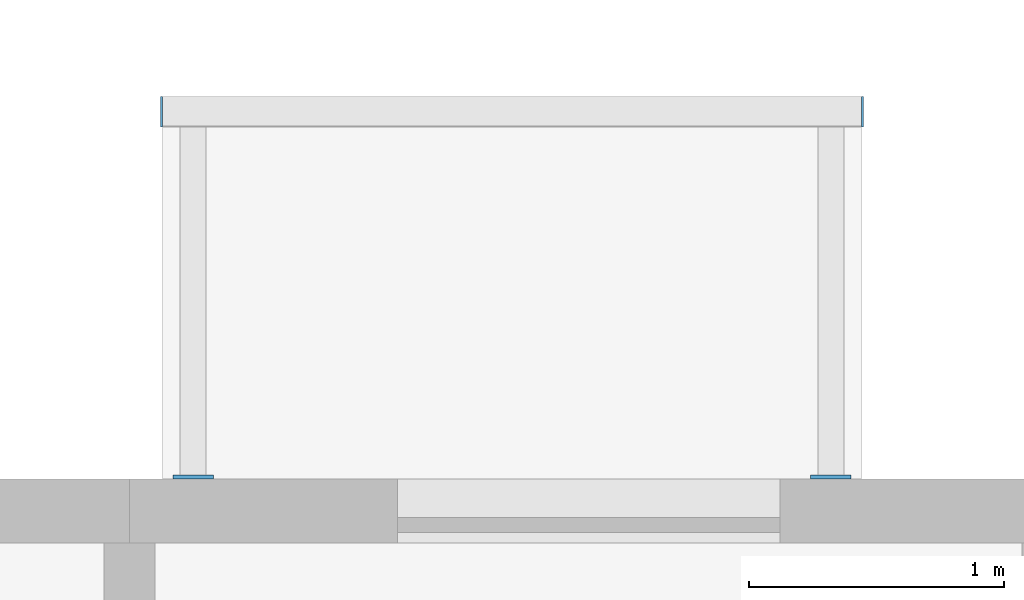
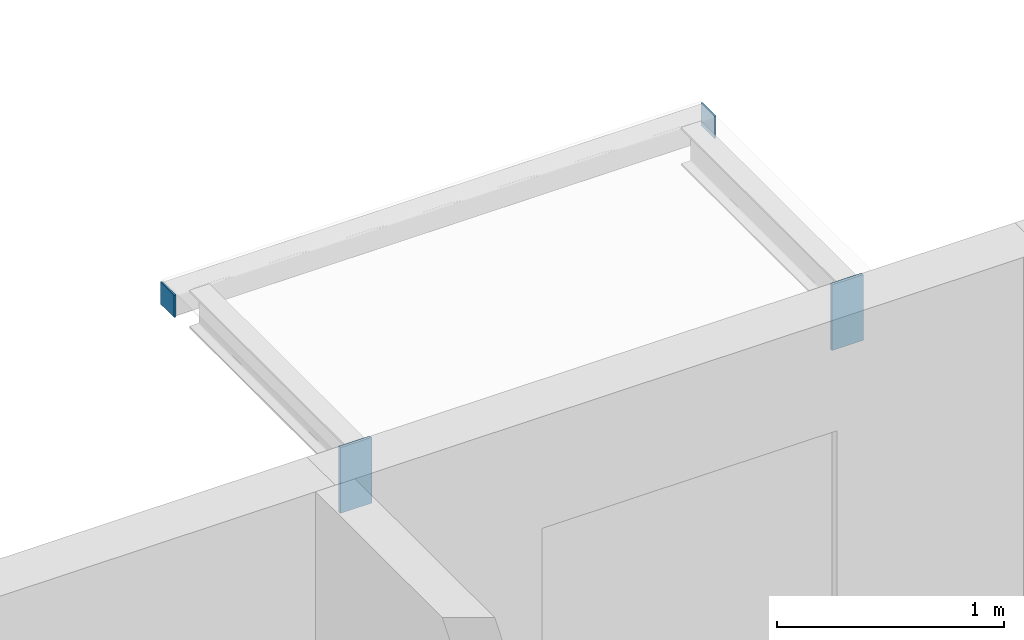
# One storey, part 71 of 94: 4 discrete accessories.
"""IFC4 building model written with IfcOpenShell, lengths in metres."""

from ifc_helpers import new_model, si_unit, direction, frame, origin, origin_2d, place, context, subcontext, project, spatial, rectangle, extrude, material, layer, layer_set, type_object, element, save


model = new_model("IFC4")

# Units and contexts
model_context = context("Model", 3, precision=1e-05, world=origin(), true_north=direction((0.0, 1.0)))
body_context = subcontext(model_context, "Body", "Model", "MODEL_VIEW")
ifc_project = project(units=[si_unit("LENGTHUNIT", "METRE"), si_unit("AREAUNIT", "SQUARE_METRE"), si_unit("VOLUMEUNIT", "CUBIC_METRE"), si_unit("PLANEANGLEUNIT", "RADIAN"), si_unit("MASSUNIT", "GRAM", prefix="KILO")], contexts=[model_context])

# Site, building, storey
site_placement = place(None, origin())
site = spatial("IfcSite", under=ifc_project, at=site_placement, CompositionType="ELEMENT")
building_placement = place(site_placement, origin())
building = spatial("IfcBuilding", under=site, at=building_placement, Name="Ridgestep Commons", CompositionType="ELEMENT")
storey_placement = place(building_placement, frame((0.0, 0.0, 21.0)))
storey = spatial("IfcBuildingStorey", under=building, at=storey_placement, Name="L07", CompositionType="ELEMENT", Elevation=21.0)

# Discrete accessories
ifc_material_1 = material(Name="Weathering steel S355J2W", Category="steel")
ifc_layer_1 = layer(ifc_material_1, 0.014892578125)
ifc_layer_set_1 = layer_set([ifc_layer_1], Name="Tray bracket plate 15")
discrete_accessory_type_1 = type_object("IfcDiscreteAccessoryType", Name="Tray bracket plate 15", PredefinedType="BRACKET", material=ifc_layer_set_1)
for number, where, z_axis, x_axis, name in (
    (1, (217.85009765625, 77.257568359375, 2.63671875), (0.0, 0.0, 1.0), (1.0, 0.0, 0.0), "Tray bracket C5T2-08.1"),
    (2, (220.35009765625, 77.257568359375, 2.63671875), (0.0, 0.0, 1.0), (1.0, 0.0, 0.0), "Tray bracket C5T2-08.2"),
):
    element("IfcDiscreteAccessory", number, at=place(storey_placement, frame(where, z_axis=z_axis, x_axis=x_axis)), inside=storey, type_object=discrete_accessory_type_1, Name=name, PredefinedType="BRACKET", context=body_context, shape_type="SweptSolid", body=[
        extrude(rectangle(XDim=0.159912109375, YDim=0.014892578125, at=origin_2d()), origin(), (0.0, 0.0, 1.0), 0.353271484375),
    ])
ifc_material_2 = material(Name="Weathering steel S355J2W", Category="steel")
ifc_layer_2 = layer(ifc_material_2, 0.008056640625)
ifc_layer_set_2 = layer_set([ifc_layer_2], Name="Tray edge member end plate 120 x 120 x 8")
discrete_accessory_type_2 = type_object("IfcDiscreteAccessoryType", Name="Tray edge member end plate 120 x 120 x 8", PredefinedType="BRACKET", material=ifc_layer_set_2)
for number, where, z_axis, x_axis, name in (
    (3, (217.72607421875, 78.68994140625, 2.869873046875), (0.0, 0.0, 1.0), (1.0, 0.0, 0.0), "Tray edge member end plate C5T2-08 west"),
    (4, (220.47412109375, 78.68994140625, 2.869873046875), (0.0, 0.0, 1.0), (1.0, 0.0, 0.0), "Tray edge member end plate C5T2-08 east"),
):
    element("IfcDiscreteAccessory", number, at=place(storey_placement, frame(where, z_axis=z_axis, x_axis=x_axis)), inside=storey, type_object=discrete_accessory_type_2, Name=name, PredefinedType="BRACKET", context=body_context, shape_type="SweptSolid", body=[
        extrude(rectangle(XDim=0.008056640625, YDim=0.1201171875, at=origin_2d()), origin(), (0.0, 0.0, 1.0), 0.1201171875),
    ])

save(model, "model.ifc")
